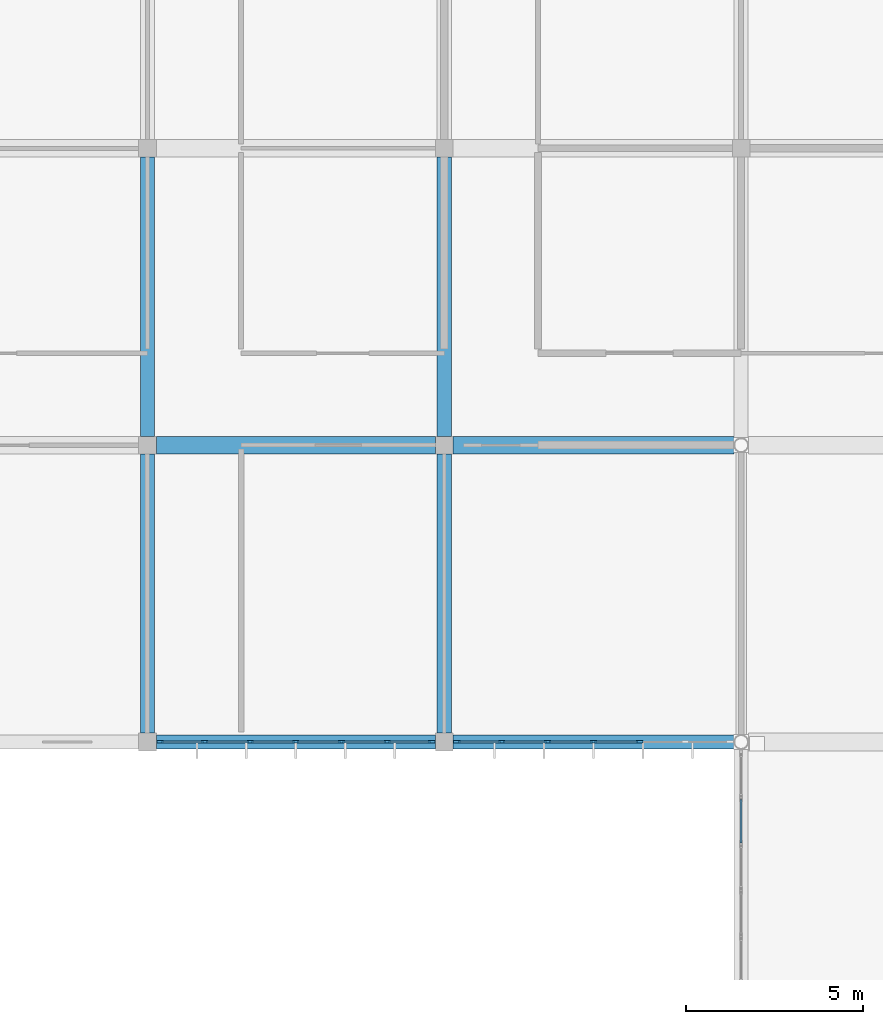
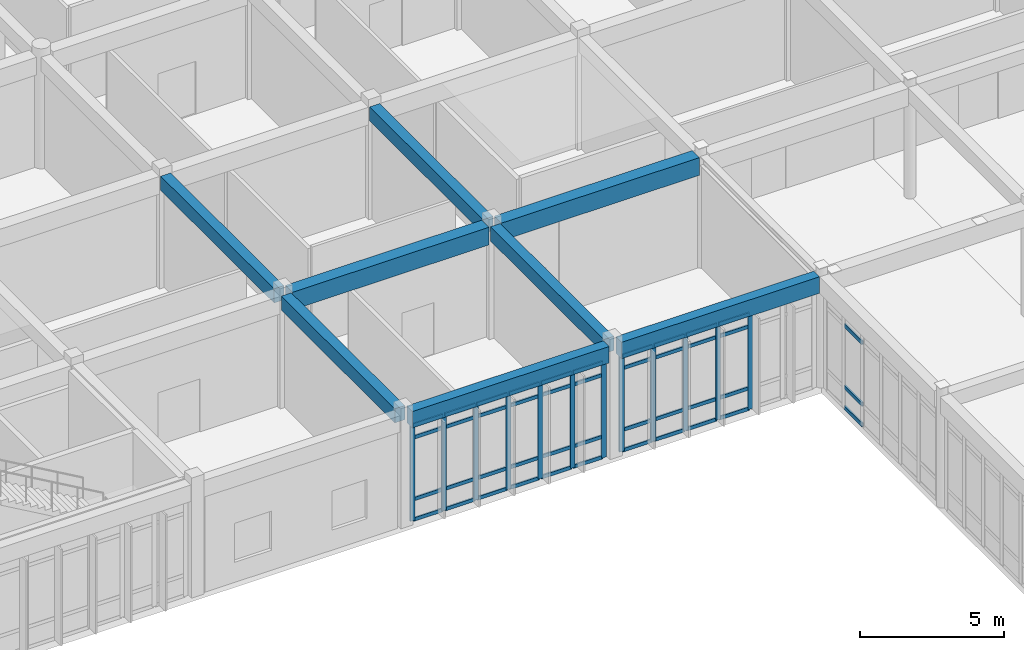
# One storey, part 16 of 134: 55 members, 8 beams, 3 elements without a shape of their own.
"""IFC4 building model written with IfcOpenShell, lengths in metres."""

from ifc_helpers import new_model, si_unit, direction, frame, origin, origin_2d, place, context, subcontext, project, spatial, rectangle, hollow_rectangle, extrude, material, layer, layer_set, material_profile, profile_set, type_object, element, aggregate, save


model = new_model("IFC4")

# Units and contexts
model_context = context("Model", 3, precision=1e-05, world=origin(), true_north=direction((0.0, 1.0)))
body_context = subcontext(model_context, "Body", "Model", "MODEL_VIEW")
ifc_project = project(units=[si_unit("LENGTHUNIT", "METRE"), si_unit("AREAUNIT", "SQUARE_METRE"), si_unit("VOLUMEUNIT", "CUBIC_METRE"), si_unit("PLANEANGLEUNIT", "RADIAN"), si_unit("MASSUNIT", "GRAM", prefix="KILO")], contexts=[model_context])

# Site, building, storey
site_placement = place(None, origin())
site = spatial("IfcSite", under=ifc_project, at=site_placement, CompositionType="ELEMENT")
building_placement = place(site_placement, origin())
building = spatial("IfcBuilding", under=site, at=building_placement, Name="Bramfleet General Hospital", CompositionType="ELEMENT")
storey_placement = place(building_placement, frame((0.0, 0.0, 9.300048828125)))
storey = spatial("IfcBuildingStorey", under=building, at=storey_placement, Name="L02", CompositionType="ELEMENT", Elevation=9.300048828125)

# Beams
ifc_material_1 = material(Name="Concrete C35/45", Category="concrete")
ifc_material_profile_1 = material_profile(ifc_material_1, rectangle(XDim=0.39990234375, YDim=0.60009765625, at=origin_2d()), Name="RC BM 600x400")
ifc_profile_set_1 = profile_set([ifc_material_profile_1], Name="Concrete C35/45")
beam_type_1 = type_object("IfcBeamType", Name="BM-RC600", PredefinedType="BEAM", material=ifc_profile_set_1)
beam_1_placement = place(storey_placement, frame((33.60009765625, 50.64990234375, 4.47998046875), z_axis=(0.0, 1.0, 0.0), x_axis=(-1.0, 0.0, 0.0)))
element("IfcBeam", 1, at=beam_1_placement, inside=storey, type_object=beam_type_1, Name="L02 Grid Beam Y 04-06", PredefinedType="BEAM", context=body_context, shape_type="SweptSolid", body=[
    extrude(rectangle(XDim=0.39990234375, YDim=0.60009765625, at=origin_2d()), origin(), (0.0, 0.0, 1.0), 7.900146484375),
])
beam_2_placement = place(storey_placement, frame((33.60009765625, 59.050048828125, 4.47998046875), z_axis=(0.0, 1.0, 0.0), x_axis=(-1.0, 0.0, 0.0)))
element("IfcBeam", 2, at=beam_2_placement, inside=storey, type_object=beam_type_1, Name="L02 Grid Beam Y 04-07", PredefinedType="BEAM", context=body_context, shape_type="SweptSolid", body=[
    extrude(rectangle(XDim=0.39990234375, YDim=0.60009765625, at=origin_2d()), origin(), (0.0, 0.0, 1.0), 7.89990234375),
])
beam_3_placement = place(storey_placement, frame((42.0, 50.64990234375, 4.47998046875), z_axis=(0.0, 1.0, 0.0), x_axis=(-1.0, 0.0, 0.0)))
element("IfcBeam", 3, at=beam_3_placement, inside=storey, type_object=beam_type_1, Name="L02 Grid Beam Y 05-06", PredefinedType="BEAM", context=body_context, shape_type="SweptSolid", body=[
    extrude(rectangle(XDim=0.39990234375, YDim=0.60009765625, at=origin_2d()), origin(), (0.0, 0.0, 1.0), 7.900146484375),
])
beam_4_placement = place(storey_placement, frame((42.0, 59.050048828125, 4.47998046875), z_axis=(0.0, 1.0, 0.0), x_axis=(-1.0, 0.0, 0.0)))
element("IfcBeam", 4, at=beam_4_placement, inside=storey, type_object=beam_type_1, Name="L02 Grid Beam Y 05-07", PredefinedType="BEAM", context=body_context, shape_type="SweptSolid", body=[
    extrude(rectangle(XDim=0.39990234375, YDim=0.60009765625, at=origin_2d()), origin(), (0.0, 0.0, 1.0), 7.89990234375),
])
ifc_material_profile_2 = material_profile(ifc_material_1, rectangle(XDim=0.5, YDim=0.75, at=origin_2d()), Name="RC BM 750x500")
ifc_profile_set_2 = profile_set([ifc_material_profile_2], Name="Concrete C35/45")
beam_type_2 = type_object("IfcBeamType", Name="BM-RC750", PredefinedType="BEAM", material=ifc_profile_set_2)
beam_5_placement = place(storey_placement, frame((33.85009765625, 58.800048828125, 4.405029296875), z_axis=(1.0, 0.0, 0.0), x_axis=(0.0, 1.0, 0.0)))
element("IfcBeam", 5, at=beam_5_placement, inside=storey, type_object=beam_type_2, Name="L02 Grid Beam X 04-07", PredefinedType="BEAM", context=body_context, shape_type="SweptSolid", body=[
    extrude(rectangle(XDim=0.5, YDim=0.75, at=origin_2d()), origin(), (0.0, 0.0, 1.0), 7.89990234375),
])
beam_6_placement = place(storey_placement, frame((42.25, 58.800048828125, 4.405029296875), z_axis=(1.0, 0.0, 0.0), x_axis=(0.0, 1.0, 0.0)))
element("IfcBeam", 6, at=beam_6_placement, inside=storey, type_object=beam_type_2, Name="L02 Grid Beam X 05-07", PredefinedType="BEAM", context=body_context, shape_type="SweptSolid", body=[
    extrude(rectangle(XDim=0.5, YDim=0.75, at=origin_2d()), origin(), (0.0, 0.0, 1.0), 7.94677734375),
])
ifc_material_profile_3 = material_profile(ifc_material_1, rectangle(XDim=0.39990234375, YDim=0.699951171875, at=origin_2d()), Name="RC SP 700x400")
ifc_profile_set_3 = profile_set([ifc_material_profile_3], Name="Concrete C35/45")
beam_type_3 = type_object("IfcBeamType", Name="BM-SP700", PredefinedType="SPANDREL", material=ifc_profile_set_3)
beam_7_placement = place(storey_placement, frame((33.85009765625, 50.39990234375, 4.429931640625), z_axis=(1.0, 0.0, 0.0), x_axis=(0.0, 1.0, 0.0)))
element("IfcBeam", 7, at=beam_7_placement, inside=storey, type_object=beam_type_3, Name="L02 Grid Beam X 04-06", PredefinedType="SPANDREL", context=body_context, shape_type="SweptSolid", body=[
    extrude(rectangle(XDim=0.39990234375, YDim=0.699951171875, at=origin_2d()), origin(), (0.0, 0.0, 1.0), 7.89990234375),
])
beam_8_placement = place(storey_placement, frame((42.25, 50.39990234375, 4.429931640625), z_axis=(1.0, 0.0, 0.0), x_axis=(0.0, 1.0, 0.0)))
element("IfcBeam", 8, at=beam_8_placement, inside=storey, type_object=beam_type_3, Name="L02 Grid Beam X 05-06", PredefinedType="SPANDREL", context=body_context, shape_type="SweptSolid", body=[
    extrude(rectangle(XDim=0.39990234375, YDim=0.699951171875, at=origin_2d()), origin(), (0.0, 0.0, 1.0), 7.94677734375),
])

# Curtain wall, members
ifc_material_2 = material(Name="Anodised aluminium and low-E triple glazing", Category="aluminium")
ifc_layer_1 = layer(ifc_material_2, 0.179931640625, Name="CWT-CW-12")
ifc_layer_set_1 = layer_set([ifc_layer_1], Name="Anodised aluminium and low-E triple glazing")
curtain_wall_type_1 = type_object("IfcCurtainWallType", Name="CWT-CW-12", PredefinedType="USERDEFINED", material=ifc_layer_set_1)
curtain_wall_1_placement = place(storey_placement, origin())
curtain_wall_1 = element("IfcCurtainWall", 9, at=curtain_wall_1_placement, inside=storey, type_object=curtain_wall_type_1, Name="L02 Curtain Wall 138", ObjectType="Stick curtain wall", PredefinedType="USERDEFINED")
ifc_material_3 = material(Name="Structural timber GL28h", Category="wood")
ifc_material_profile_4 = material_profile(ifc_material_3, rectangle(XDim=0.070068359375, YDim=0.18994140625, at=origin_2d()), Name="LARCH 190x70")
ifc_profile_set_4 = profile_set([ifc_material_profile_4], Name="Structural timber GL28h")
member_type_1 = type_object("IfcMemberType", Name="CWM-LARCH450", PredefinedType="MULLION", material=ifc_profile_set_4)
member_1_placement = place(storey_placement, frame((47.52294921875, 50.39990234375, 0.0), z_axis=(0.0, 0.0, 1.0), x_axis=(0.0, -1.0, 0.0)))
member_1 = element("IfcMember", 10, at=member_1_placement, type_object=member_type_1, Name="CW-12 mullion 3", PredefinedType="MULLION", context=body_context, shape_type="SweptSolid", body=[
    extrude(rectangle(XDim=0.070068359375, YDim=0.18994140625, at=origin_2d()), origin(), (0.0, 0.0, 1.0), 4.070068359375),
])
member_2_placement = place(storey_placement, frame((46.223388671875, 50.39990234375, 0.0), z_axis=(0.0, 0.0, 1.0), x_axis=(0.0, -1.0, 0.0)))
member_2 = element("IfcMember", 11, at=member_2_placement, type_object=member_type_1, Name="CW-12 mullion 4", PredefinedType="MULLION", context=body_context, shape_type="SweptSolid", body=[
    extrude(rectangle(XDim=0.070068359375, YDim=0.18994140625, at=origin_2d()), origin(), (0.0, 0.0, 1.0), 4.070068359375),
])
member_3_placement = place(storey_placement, frame((44.924072265625, 50.39990234375, 0.0), z_axis=(0.0, 0.0, 1.0), x_axis=(0.0, -1.0, 0.0)))
member_3 = element("IfcMember", 12, at=member_3_placement, type_object=member_type_1, Name="CW-12 mullion 5", PredefinedType="MULLION", context=body_context, shape_type="SweptSolid", body=[
    extrude(rectangle(XDim=0.070068359375, YDim=0.18994140625, at=origin_2d()), origin(), (0.0, 0.0, 1.0), 4.070068359375),
])
member_4_placement = place(storey_placement, frame((43.62451171875, 50.39990234375, 0.0), z_axis=(0.0, 0.0, 1.0), x_axis=(0.0, -1.0, 0.0)))
member_4 = element("IfcMember", 13, at=member_4_placement, type_object=member_type_1, Name="CW-12 mullion 6", PredefinedType="MULLION", context=body_context, shape_type="SweptSolid", body=[
    extrude(rectangle(XDim=0.070068359375, YDim=0.18994140625, at=origin_2d()), origin(), (0.0, 0.0, 1.0), 4.070068359375),
])
member_5_placement = place(storey_placement, frame((42.360107421875, 50.39990234375, 0.0), z_axis=(0.0, 0.0, 1.0), x_axis=(0.0, -1.0, 0.0)))
member_5 = element("IfcMember", 14, at=member_5_placement, type_object=member_type_1, Name="CW-12 mullion 7", PredefinedType="MULLION", context=body_context, shape_type="SweptSolid", body=[
    extrude(rectangle(XDim=0.070068359375, YDim=0.18994140625, at=origin_2d()), origin(), (0.0, 0.0, 1.0), 4.070068359375),
])

ifc_layer_2 = layer(ifc_material_2, 0.179931640625, Name="CWT-CW-13")
ifc_layer_set_2 = layer_set([ifc_layer_2], Name="Anodised aluminium and low-E triple glazing")
curtain_wall_type_2 = type_object("IfcCurtainWallType", Name="CWT-CW-13", PredefinedType="USERDEFINED", material=ifc_layer_set_2)
curtain_wall_2_placement = place(storey_placement, origin())
curtain_wall_2 = element("IfcCurtainWall", 15, at=curtain_wall_2_placement, inside=storey, type_object=curtain_wall_type_2, Name="L02 Curtain Wall 139", ObjectType="Stick curtain wall", PredefinedType="USERDEFINED")
member_6_placement = place(storey_placement, frame((41.639892578125, 50.39990234375, 0.0), z_axis=(0.0, 0.0, 1.0), x_axis=(0.0, -1.0, 0.0)))
member_6 = element("IfcMember", 16, at=member_6_placement, type_object=member_type_1, Name="CW-13 mullion 1", PredefinedType="MULLION", context=body_context, shape_type="SweptSolid", body=[
    extrude(rectangle(XDim=0.070068359375, YDim=0.18994140625, at=origin_2d()), origin(), (0.0, 0.0, 1.0), 4.070068359375),
])
member_7_placement = place(storey_placement, frame((40.38330078125, 50.39990234375, 0.0), z_axis=(0.0, 0.0, 1.0), x_axis=(0.0, -1.0, 0.0)))
member_7 = element("IfcMember", 17, at=member_7_placement, type_object=member_type_1, Name="CW-13 mullion 2", PredefinedType="MULLION", context=body_context, shape_type="SweptSolid", body=[
    extrude(rectangle(XDim=0.070068359375, YDim=0.18994140625, at=origin_2d()), origin(), (0.0, 0.0, 1.0), 4.070068359375),
])
member_8_placement = place(storey_placement, frame((39.091552734375, 50.39990234375, 0.0), z_axis=(0.0, 0.0, 1.0), x_axis=(0.0, -1.0, 0.0)))
member_8 = element("IfcMember", 18, at=member_8_placement, type_object=member_type_1, Name="CW-13 mullion 3", PredefinedType="MULLION", context=body_context, shape_type="SweptSolid", body=[
    extrude(rectangle(XDim=0.070068359375, YDim=0.18994140625, at=origin_2d()), origin(), (0.0, 0.0, 1.0), 4.070068359375),
])
member_9_placement = place(storey_placement, frame((37.800048828125, 50.39990234375, 0.0), z_axis=(0.0, 0.0, 1.0), x_axis=(0.0, -1.0, 0.0)))
member_9 = element("IfcMember", 19, at=member_9_placement, type_object=member_type_1, Name="CW-13 mullion 4", PredefinedType="MULLION", context=body_context, shape_type="SweptSolid", body=[
    extrude(rectangle(XDim=0.070068359375, YDim=0.18994140625, at=origin_2d()), origin(), (0.0, 0.0, 1.0), 4.070068359375),
])
member_10_placement = place(storey_placement, frame((36.50830078125, 50.39990234375, 0.0), z_axis=(0.0, 0.0, 1.0), x_axis=(0.0, -1.0, 0.0)))
member_10 = element("IfcMember", 20, at=member_10_placement, type_object=member_type_1, Name="CW-13 mullion 5", PredefinedType="MULLION", context=body_context, shape_type="SweptSolid", body=[
    extrude(rectangle(XDim=0.070068359375, YDim=0.18994140625, at=origin_2d()), origin(), (0.0, 0.0, 1.0), 4.070068359375),
])
member_11_placement = place(storey_placement, frame((35.216552734375, 50.39990234375, 0.0), z_axis=(0.0, 0.0, 1.0), x_axis=(0.0, -1.0, 0.0)))
member_11 = element("IfcMember", 21, at=member_11_placement, type_object=member_type_1, Name="CW-13 mullion 6", PredefinedType="MULLION", context=body_context, shape_type="SweptSolid", body=[
    extrude(rectangle(XDim=0.070068359375, YDim=0.18994140625, at=origin_2d()), origin(), (0.0, 0.0, 1.0), 4.070068359375),
])
member_12_placement = place(storey_placement, frame((33.9599609375, 50.39990234375, 0.0), z_axis=(0.0, 0.0, 1.0), x_axis=(0.0, -1.0, 0.0)))
member_12 = element("IfcMember", 22, at=member_12_placement, type_object=member_type_1, Name="CW-13 mullion 7", PredefinedType="MULLION", context=body_context, shape_type="SweptSolid", body=[
    extrude(rectangle(XDim=0.070068359375, YDim=0.18994140625, at=origin_2d()), origin(), (0.0, 0.0, 1.0), 4.070068359375),
])

ifc_layer_3 = layer(ifc_material_2, 0.179931640625, Name="CWT-CW-11")
ifc_layer_set_3 = layer_set([ifc_layer_3], Name="Anodised aluminium and low-E triple glazing")
curtain_wall_type_3 = type_object("IfcCurtainWallType", Name="CWT-CW-11", PredefinedType="USERDEFINED", material=ifc_layer_set_3)
curtain_wall_3_placement = place(storey_placement, origin())
curtain_wall_3 = element("IfcCurtainWall", 23, at=curtain_wall_3_placement, inside=storey, type_object=curtain_wall_type_3, Name="L02 Curtain Wall 137", ObjectType="Stick curtain wall", PredefinedType="USERDEFINED")
ifc_material_4 = material(Name="Anodised aluminium EN AW-6060", Category="aluminium")
ifc_material_profile_5 = material_profile(ifc_material_4, hollow_rectangle(XDim=0.06494140625, YDim=0.159912109375, WallThickness=0.00390625, at=origin_2d()), Name="ALU 160x65x4.0")
ifc_profile_set_5 = profile_set([ifc_material_profile_5], Name="Anodised aluminium EN AW-6060")
member_type_2 = type_object("IfcMemberType", Name="CWT-ALU160", PredefinedType="USERDEFINED", material=ifc_profile_set_5)
member_13_placement = place(storey_placement, frame((50.39990234375, 47.544921875, 0.032470703125), z_axis=(0.0, 1.0, 0.0), x_axis=(-1.0, 0.0, 0.0)))
member_13 = element("IfcMember", 24, at=member_13_placement, type_object=member_type_2, Name="CW-11 transom 5.1", ObjectType="TRANSOM", PredefinedType="USERDEFINED", context=body_context, shape_type="SweptSolid", body=[
    extrude(hollow_rectangle(XDim=0.06494140625, YDim=0.159912109375, WallThickness=0.00390625, at=origin_2d()), origin(), (0.0, 0.0, 1.0), 1.232177734375),
])
member_14_placement = place(storey_placement, frame((50.39990234375, 47.544921875, 0.89990234375), z_axis=(0.0, 1.0, 0.0), x_axis=(-1.0, 0.0, 0.0)))
member_14 = element("IfcMember", 25, at=member_14_placement, type_object=member_type_2, Name="CW-11 transom 5.2", ObjectType="TRANSOM", PredefinedType="USERDEFINED", context=body_context, shape_type="SweptSolid", body=[
    extrude(hollow_rectangle(XDim=0.06494140625, YDim=0.159912109375, WallThickness=0.00390625, at=origin_2d()), origin(), (0.0, 0.0, 1.0), 1.232177734375),
])
member_15_placement = place(storey_placement, frame((50.39990234375, 47.544921875, 3.52001953125), z_axis=(0.0, 1.0, 0.0), x_axis=(-1.0, 0.0, 0.0)))
member_15 = element("IfcMember", 26, at=member_15_placement, type_object=member_type_2, Name="CW-11 transom 5.3", ObjectType="TRANSOM", PredefinedType="USERDEFINED", context=body_context, shape_type="SweptSolid", body=[
    extrude(hollow_rectangle(XDim=0.06494140625, YDim=0.159912109375, WallThickness=0.00390625, at=origin_2d()), origin(), (0.0, 0.0, 1.0), 1.232177734375),
])
aggregate(curtain_wall_3, [member_13, member_14, member_15])

# Member
ifc_material_profile_6 = material_profile(ifc_material_3, rectangle(XDim=0.06494140625, YDim=0.14990234375, at=origin_2d()), Name="LARCH 150x65")
ifc_profile_set_6 = profile_set([ifc_material_profile_6], Name="Structural timber GL28h")
member_type_3 = type_object("IfcMemberType", Name="CWT-LARCH220", PredefinedType="USERDEFINED", material=ifc_profile_set_6)
member_16_placement = place(storey_placement, frame((47.488037109375, 50.39990234375, 0.032470703125), z_axis=(-1.0, 0.0, 0.0), x_axis=(0.0, -1.0, 0.0)))
member_16 = element("IfcMember", 27, at=member_16_placement, type_object=member_type_3, Name="CW-12 transom 3.1", ObjectType="TRANSOM", PredefinedType="USERDEFINED", context=body_context, shape_type="SweptSolid", body=[
    extrude(rectangle(XDim=0.06494140625, YDim=0.14990234375, at=origin_2d()), origin(), (0.0, 0.0, 1.0), 1.2294921875),
])

member_17_placement = place(storey_placement, frame((47.488037109375, 50.39990234375, 0.89990234375), z_axis=(-1.0, 0.0, 0.0), x_axis=(0.0, -1.0, 0.0)))
member_17 = element("IfcMember", 28, at=member_17_placement, type_object=member_type_3, Name="CW-12 transom 3.2", ObjectType="TRANSOM", PredefinedType="USERDEFINED", context=body_context, shape_type="SweptSolid", body=[
    extrude(rectangle(XDim=0.06494140625, YDim=0.14990234375, at=origin_2d()), origin(), (0.0, 0.0, 1.0), 1.2294921875),
])

member_18_placement = place(storey_placement, frame((47.488037109375, 50.39990234375, 3.52001953125), z_axis=(-1.0, 0.0, 0.0), x_axis=(0.0, -1.0, 0.0)))
member_18 = element("IfcMember", 29, at=member_18_placement, type_object=member_type_3, Name="CW-12 transom 3.3", ObjectType="TRANSOM", PredefinedType="USERDEFINED", context=body_context, shape_type="SweptSolid", body=[
    extrude(rectangle(XDim=0.06494140625, YDim=0.14990234375, at=origin_2d()), origin(), (0.0, 0.0, 1.0), 1.2294921875),
])

member_19_placement = place(storey_placement, frame((47.488037109375, 50.39990234375, 4.037353515625), z_axis=(-1.0, 0.0, 0.0), x_axis=(0.0, -1.0, 0.0)))
member_19 = element("IfcMember", 30, at=member_19_placement, type_object=member_type_3, Name="CW-12 transom 3.4", ObjectType="TRANSOM", PredefinedType="USERDEFINED", context=body_context, shape_type="SweptSolid", body=[
    extrude(rectangle(XDim=0.06494140625, YDim=0.14990234375, at=origin_2d()), origin(), (0.0, 0.0, 1.0), 1.2294921875),
])

member_20_placement = place(storey_placement, frame((46.1884765625, 50.39990234375, 0.032470703125), z_axis=(-1.0, 0.0, 0.0), x_axis=(0.0, -1.0, 0.0)))
member_20 = element("IfcMember", 31, at=member_20_placement, type_object=member_type_3, Name="CW-12 transom 4.1", ObjectType="TRANSOM", PredefinedType="USERDEFINED", context=body_context, shape_type="SweptSolid", body=[
    extrude(rectangle(XDim=0.06494140625, YDim=0.14990234375, at=origin_2d()), origin(), (0.0, 0.0, 1.0), 1.2294921875),
])

member_21_placement = place(storey_placement, frame((46.1884765625, 50.39990234375, 0.89990234375), z_axis=(-1.0, 0.0, 0.0), x_axis=(0.0, -1.0, 0.0)))
member_21 = element("IfcMember", 32, at=member_21_placement, type_object=member_type_3, Name="CW-12 transom 4.2", ObjectType="TRANSOM", PredefinedType="USERDEFINED", context=body_context, shape_type="SweptSolid", body=[
    extrude(rectangle(XDim=0.06494140625, YDim=0.14990234375, at=origin_2d()), origin(), (0.0, 0.0, 1.0), 1.2294921875),
])

member_22_placement = place(storey_placement, frame((46.1884765625, 50.39990234375, 3.52001953125), z_axis=(-1.0, 0.0, 0.0), x_axis=(0.0, -1.0, 0.0)))
member_22 = element("IfcMember", 33, at=member_22_placement, type_object=member_type_3, Name="CW-12 transom 4.3", ObjectType="TRANSOM", PredefinedType="USERDEFINED", context=body_context, shape_type="SweptSolid", body=[
    extrude(rectangle(XDim=0.06494140625, YDim=0.14990234375, at=origin_2d()), origin(), (0.0, 0.0, 1.0), 1.2294921875),
])

member_23_placement = place(storey_placement, frame((46.1884765625, 50.39990234375, 4.037353515625), z_axis=(-1.0, 0.0, 0.0), x_axis=(0.0, -1.0, 0.0)))
member_23 = element("IfcMember", 34, at=member_23_placement, type_object=member_type_3, Name="CW-12 transom 4.4", ObjectType="TRANSOM", PredefinedType="USERDEFINED", context=body_context, shape_type="SweptSolid", body=[
    extrude(rectangle(XDim=0.06494140625, YDim=0.14990234375, at=origin_2d()), origin(), (0.0, 0.0, 1.0), 1.2294921875),
])

member_24_placement = place(storey_placement, frame((44.888916015625, 50.39990234375, 0.032470703125), z_axis=(-1.0, 0.0, 0.0), x_axis=(0.0, -1.0, 0.0)))
member_24 = element("IfcMember", 35, at=member_24_placement, type_object=member_type_3, Name="CW-12 transom 5.1", ObjectType="TRANSOM", PredefinedType="USERDEFINED", context=body_context, shape_type="SweptSolid", body=[
    extrude(rectangle(XDim=0.06494140625, YDim=0.14990234375, at=origin_2d()), origin(), (0.0, 0.0, 1.0), 1.2294921875),
])

member_25_placement = place(storey_placement, frame((44.888916015625, 50.39990234375, 0.89990234375), z_axis=(-1.0, 0.0, 0.0), x_axis=(0.0, -1.0, 0.0)))
member_25 = element("IfcMember", 36, at=member_25_placement, type_object=member_type_3, Name="CW-12 transom 5.2", ObjectType="TRANSOM", PredefinedType="USERDEFINED", context=body_context, shape_type="SweptSolid", body=[
    extrude(rectangle(XDim=0.06494140625, YDim=0.14990234375, at=origin_2d()), origin(), (0.0, 0.0, 1.0), 1.2294921875),
])

member_26_placement = place(storey_placement, frame((44.888916015625, 50.39990234375, 3.52001953125), z_axis=(-1.0, 0.0, 0.0), x_axis=(0.0, -1.0, 0.0)))
member_26 = element("IfcMember", 37, at=member_26_placement, type_object=member_type_3, Name="CW-12 transom 5.3", ObjectType="TRANSOM", PredefinedType="USERDEFINED", context=body_context, shape_type="SweptSolid", body=[
    extrude(rectangle(XDim=0.06494140625, YDim=0.14990234375, at=origin_2d()), origin(), (0.0, 0.0, 1.0), 1.2294921875),
])

member_27_placement = place(storey_placement, frame((44.888916015625, 50.39990234375, 4.037353515625), z_axis=(-1.0, 0.0, 0.0), x_axis=(0.0, -1.0, 0.0)))
member_27 = element("IfcMember", 38, at=member_27_placement, type_object=member_type_3, Name="CW-12 transom 5.4", ObjectType="TRANSOM", PredefinedType="USERDEFINED", context=body_context, shape_type="SweptSolid", body=[
    extrude(rectangle(XDim=0.06494140625, YDim=0.14990234375, at=origin_2d()), origin(), (0.0, 0.0, 1.0), 1.2294921875),
])

member_28_placement = place(storey_placement, frame((43.589599609375, 50.39990234375, 0.032470703125), z_axis=(-1.0, 0.0, 0.0), x_axis=(0.0, -1.0, 0.0)))
member_28 = element("IfcMember", 39, at=member_28_placement, type_object=member_type_3, Name="CW-12 transom 6.1", ObjectType="TRANSOM", PredefinedType="USERDEFINED", context=body_context, shape_type="SweptSolid", body=[
    extrude(rectangle(XDim=0.06494140625, YDim=0.14990234375, at=origin_2d()), origin(), (0.0, 0.0, 1.0), 1.194580078125),
])

member_29_placement = place(storey_placement, frame((43.589599609375, 50.39990234375, 0.89990234375), z_axis=(-1.0, 0.0, 0.0), x_axis=(0.0, -1.0, 0.0)))
member_29 = element("IfcMember", 40, at=member_29_placement, type_object=member_type_3, Name="CW-12 transom 6.2", ObjectType="TRANSOM", PredefinedType="USERDEFINED", context=body_context, shape_type="SweptSolid", body=[
    extrude(rectangle(XDim=0.06494140625, YDim=0.14990234375, at=origin_2d()), origin(), (0.0, 0.0, 1.0), 1.194580078125),
])

member_30_placement = place(storey_placement, frame((43.589599609375, 50.39990234375, 3.52001953125), z_axis=(-1.0, 0.0, 0.0), x_axis=(0.0, -1.0, 0.0)))
member_30 = element("IfcMember", 41, at=member_30_placement, type_object=member_type_3, Name="CW-12 transom 6.3", ObjectType="TRANSOM", PredefinedType="USERDEFINED", context=body_context, shape_type="SweptSolid", body=[
    extrude(rectangle(XDim=0.06494140625, YDim=0.14990234375, at=origin_2d()), origin(), (0.0, 0.0, 1.0), 1.194580078125),
])

member_31_placement = place(storey_placement, frame((43.589599609375, 50.39990234375, 4.037353515625), z_axis=(-1.0, 0.0, 0.0), x_axis=(0.0, -1.0, 0.0)))
member_31 = element("IfcMember", 42, at=member_31_placement, type_object=member_type_3, Name="CW-12 transom 6.4", ObjectType="TRANSOM", PredefinedType="USERDEFINED", context=body_context, shape_type="SweptSolid", body=[
    extrude(rectangle(XDim=0.06494140625, YDim=0.14990234375, at=origin_2d()), origin(), (0.0, 0.0, 1.0), 1.194580078125),
])

aggregate(curtain_wall_1, [member_1, member_2, member_3, member_4, member_5, member_16, member_17, member_18, member_19, member_20, member_21, member_22, member_23, member_24, member_25, member_26, member_27, member_28, member_29, member_30, member_31])

member_32_placement = place(storey_placement, frame((41.60498046875, 50.39990234375, 0.032470703125), z_axis=(-1.0, 0.0, 0.0), x_axis=(0.0, -1.0, 0.0)))
member_32 = element("IfcMember", 43, at=member_32_placement, type_object=member_type_3, Name="CW-13 transom 1.1", ObjectType="TRANSOM", PredefinedType="USERDEFINED", context=body_context, shape_type="SweptSolid", body=[
    extrude(rectangle(XDim=0.06494140625, YDim=0.14990234375, at=origin_2d()), origin(), (0.0, 0.0, 1.0), 1.186767578125),
])

member_33_placement = place(storey_placement, frame((41.60498046875, 50.39990234375, 0.89990234375), z_axis=(-1.0, 0.0, 0.0), x_axis=(0.0, -1.0, 0.0)))
member_33 = element("IfcMember", 44, at=member_33_placement, type_object=member_type_3, Name="CW-13 transom 1.2", ObjectType="TRANSOM", PredefinedType="USERDEFINED", context=body_context, shape_type="SweptSolid", body=[
    extrude(rectangle(XDim=0.06494140625, YDim=0.14990234375, at=origin_2d()), origin(), (0.0, 0.0, 1.0), 1.186767578125),
])

member_34_placement = place(storey_placement, frame((41.60498046875, 50.39990234375, 3.52001953125), z_axis=(-1.0, 0.0, 0.0), x_axis=(0.0, -1.0, 0.0)))
member_34 = element("IfcMember", 45, at=member_34_placement, type_object=member_type_3, Name="CW-13 transom 1.3", ObjectType="TRANSOM", PredefinedType="USERDEFINED", context=body_context, shape_type="SweptSolid", body=[
    extrude(rectangle(XDim=0.06494140625, YDim=0.14990234375, at=origin_2d()), origin(), (0.0, 0.0, 1.0), 1.186767578125),
])

member_35_placement = place(storey_placement, frame((41.60498046875, 50.39990234375, 4.037353515625), z_axis=(-1.0, 0.0, 0.0), x_axis=(0.0, -1.0, 0.0)))
member_35 = element("IfcMember", 46, at=member_35_placement, type_object=member_type_3, Name="CW-13 transom 1.4", ObjectType="TRANSOM", PredefinedType="USERDEFINED", context=body_context, shape_type="SweptSolid", body=[
    extrude(rectangle(XDim=0.06494140625, YDim=0.14990234375, at=origin_2d()), origin(), (0.0, 0.0, 1.0), 1.186767578125),
])

member_36_placement = place(storey_placement, frame((40.348388671875, 50.39990234375, 0.032470703125), z_axis=(-1.0, 0.0, 0.0), x_axis=(0.0, -1.0, 0.0)))
member_36 = element("IfcMember", 47, at=member_36_placement, type_object=member_type_3, Name="CW-13 transom 2.1", ObjectType="TRANSOM", PredefinedType="USERDEFINED", context=body_context, shape_type="SweptSolid", body=[
    extrude(rectangle(XDim=0.06494140625, YDim=0.14990234375, at=origin_2d()), origin(), (0.0, 0.0, 1.0), 1.2216796875),
])

member_37_placement = place(storey_placement, frame((40.348388671875, 50.39990234375, 0.89990234375), z_axis=(-1.0, 0.0, 0.0), x_axis=(0.0, -1.0, 0.0)))
member_37 = element("IfcMember", 48, at=member_37_placement, type_object=member_type_3, Name="CW-13 transom 2.2", ObjectType="TRANSOM", PredefinedType="USERDEFINED", context=body_context, shape_type="SweptSolid", body=[
    extrude(rectangle(XDim=0.06494140625, YDim=0.14990234375, at=origin_2d()), origin(), (0.0, 0.0, 1.0), 1.2216796875),
])

member_38_placement = place(storey_placement, frame((40.348388671875, 50.39990234375, 3.52001953125), z_axis=(-1.0, 0.0, 0.0), x_axis=(0.0, -1.0, 0.0)))
member_38 = element("IfcMember", 49, at=member_38_placement, type_object=member_type_3, Name="CW-13 transom 2.3", ObjectType="TRANSOM", PredefinedType="USERDEFINED", context=body_context, shape_type="SweptSolid", body=[
    extrude(rectangle(XDim=0.06494140625, YDim=0.14990234375, at=origin_2d()), origin(), (0.0, 0.0, 1.0), 1.2216796875),
])

member_39_placement = place(storey_placement, frame((40.348388671875, 50.39990234375, 4.037353515625), z_axis=(-1.0, 0.0, 0.0), x_axis=(0.0, -1.0, 0.0)))
member_39 = element("IfcMember", 50, at=member_39_placement, type_object=member_type_3, Name="CW-13 transom 2.4", ObjectType="TRANSOM", PredefinedType="USERDEFINED", context=body_context, shape_type="SweptSolid", body=[
    extrude(rectangle(XDim=0.06494140625, YDim=0.14990234375, at=origin_2d()), origin(), (0.0, 0.0, 1.0), 1.2216796875),
])

member_40_placement = place(storey_placement, frame((39.056640625, 50.39990234375, 0.032470703125), z_axis=(-1.0, 0.0, 0.0), x_axis=(0.0, -1.0, 0.0)))
member_40 = element("IfcMember", 51, at=member_40_placement, type_object=member_type_3, Name="CW-13 transom 3.1", ObjectType="TRANSOM", PredefinedType="USERDEFINED", context=body_context, shape_type="SweptSolid", body=[
    extrude(rectangle(XDim=0.06494140625, YDim=0.14990234375, at=origin_2d()), origin(), (0.0, 0.0, 1.0), 1.2216796875),
])

member_41_placement = place(storey_placement, frame((39.056640625, 50.39990234375, 0.89990234375), z_axis=(-1.0, 0.0, 0.0), x_axis=(0.0, -1.0, 0.0)))
member_41 = element("IfcMember", 52, at=member_41_placement, type_object=member_type_3, Name="CW-13 transom 3.2", ObjectType="TRANSOM", PredefinedType="USERDEFINED", context=body_context, shape_type="SweptSolid", body=[
    extrude(rectangle(XDim=0.06494140625, YDim=0.14990234375, at=origin_2d()), origin(), (0.0, 0.0, 1.0), 1.2216796875),
])

member_42_placement = place(storey_placement, frame((39.056640625, 50.39990234375, 3.52001953125), z_axis=(-1.0, 0.0, 0.0), x_axis=(0.0, -1.0, 0.0)))
member_42 = element("IfcMember", 53, at=member_42_placement, type_object=member_type_3, Name="CW-13 transom 3.3", ObjectType="TRANSOM", PredefinedType="USERDEFINED", context=body_context, shape_type="SweptSolid", body=[
    extrude(rectangle(XDim=0.06494140625, YDim=0.14990234375, at=origin_2d()), origin(), (0.0, 0.0, 1.0), 1.2216796875),
])

member_43_placement = place(storey_placement, frame((39.056640625, 50.39990234375, 4.037353515625), z_axis=(-1.0, 0.0, 0.0), x_axis=(0.0, -1.0, 0.0)))
member_43 = element("IfcMember", 54, at=member_43_placement, type_object=member_type_3, Name="CW-13 transom 3.4", ObjectType="TRANSOM", PredefinedType="USERDEFINED", context=body_context, shape_type="SweptSolid", body=[
    extrude(rectangle(XDim=0.06494140625, YDim=0.14990234375, at=origin_2d()), origin(), (0.0, 0.0, 1.0), 1.2216796875),
])

member_44_placement = place(storey_placement, frame((37.764892578125, 50.39990234375, 0.032470703125), z_axis=(-1.0, 0.0, 0.0), x_axis=(0.0, -1.0, 0.0)))
member_44 = element("IfcMember", 55, at=member_44_placement, type_object=member_type_3, Name="CW-13 transom 4.1", ObjectType="TRANSOM", PredefinedType="USERDEFINED", context=body_context, shape_type="SweptSolid", body=[
    extrude(rectangle(XDim=0.06494140625, YDim=0.14990234375, at=origin_2d()), origin(), (0.0, 0.0, 1.0), 1.2216796875),
])

member_45_placement = place(storey_placement, frame((37.764892578125, 50.39990234375, 0.89990234375), z_axis=(-1.0, 0.0, 0.0), x_axis=(0.0, -1.0, 0.0)))
member_45 = element("IfcMember", 56, at=member_45_placement, type_object=member_type_3, Name="CW-13 transom 4.2", ObjectType="TRANSOM", PredefinedType="USERDEFINED", context=body_context, shape_type="SweptSolid", body=[
    extrude(rectangle(XDim=0.06494140625, YDim=0.14990234375, at=origin_2d()), origin(), (0.0, 0.0, 1.0), 1.2216796875),
])

member_46_placement = place(storey_placement, frame((37.764892578125, 50.39990234375, 3.52001953125), z_axis=(-1.0, 0.0, 0.0), x_axis=(0.0, -1.0, 0.0)))
member_46 = element("IfcMember", 57, at=member_46_placement, type_object=member_type_3, Name="CW-13 transom 4.3", ObjectType="TRANSOM", PredefinedType="USERDEFINED", context=body_context, shape_type="SweptSolid", body=[
    extrude(rectangle(XDim=0.06494140625, YDim=0.14990234375, at=origin_2d()), origin(), (0.0, 0.0, 1.0), 1.2216796875),
])

member_47_placement = place(storey_placement, frame((37.764892578125, 50.39990234375, 4.037353515625), z_axis=(-1.0, 0.0, 0.0), x_axis=(0.0, -1.0, 0.0)))
member_47 = element("IfcMember", 58, at=member_47_placement, type_object=member_type_3, Name="CW-13 transom 4.4", ObjectType="TRANSOM", PredefinedType="USERDEFINED", context=body_context, shape_type="SweptSolid", body=[
    extrude(rectangle(XDim=0.06494140625, YDim=0.14990234375, at=origin_2d()), origin(), (0.0, 0.0, 1.0), 1.2216796875),
])

member_48_placement = place(storey_placement, frame((36.473388671875, 50.39990234375, 0.032470703125), z_axis=(-1.0, 0.0, 0.0), x_axis=(0.0, -1.0, 0.0)))
member_48 = element("IfcMember", 59, at=member_48_placement, type_object=member_type_3, Name="CW-13 transom 5.1", ObjectType="TRANSOM", PredefinedType="USERDEFINED", context=body_context, shape_type="SweptSolid", body=[
    extrude(rectangle(XDim=0.06494140625, YDim=0.14990234375, at=origin_2d()), origin(), (0.0, 0.0, 1.0), 1.2216796875),
])

member_49_placement = place(storey_placement, frame((36.473388671875, 50.39990234375, 0.89990234375), z_axis=(-1.0, 0.0, 0.0), x_axis=(0.0, -1.0, 0.0)))
member_49 = element("IfcMember", 60, at=member_49_placement, type_object=member_type_3, Name="CW-13 transom 5.2", ObjectType="TRANSOM", PredefinedType="USERDEFINED", context=body_context, shape_type="SweptSolid", body=[
    extrude(rectangle(XDim=0.06494140625, YDim=0.14990234375, at=origin_2d()), origin(), (0.0, 0.0, 1.0), 1.2216796875),
])

member_50_placement = place(storey_placement, frame((36.473388671875, 50.39990234375, 3.52001953125), z_axis=(-1.0, 0.0, 0.0), x_axis=(0.0, -1.0, 0.0)))
member_50 = element("IfcMember", 61, at=member_50_placement, type_object=member_type_3, Name="CW-13 transom 5.3", ObjectType="TRANSOM", PredefinedType="USERDEFINED", context=body_context, shape_type="SweptSolid", body=[
    extrude(rectangle(XDim=0.06494140625, YDim=0.14990234375, at=origin_2d()), origin(), (0.0, 0.0, 1.0), 1.2216796875),
])

member_51_placement = place(storey_placement, frame((36.473388671875, 50.39990234375, 4.037353515625), z_axis=(-1.0, 0.0, 0.0), x_axis=(0.0, -1.0, 0.0)))
member_51 = element("IfcMember", 62, at=member_51_placement, type_object=member_type_3, Name="CW-13 transom 5.4", ObjectType="TRANSOM", PredefinedType="USERDEFINED", context=body_context, shape_type="SweptSolid", body=[
    extrude(rectangle(XDim=0.06494140625, YDim=0.14990234375, at=origin_2d()), origin(), (0.0, 0.0, 1.0), 1.2216796875),
])

member_52_placement = place(storey_placement, frame((35.181640625, 50.39990234375, 0.032470703125), z_axis=(-1.0, 0.0, 0.0), x_axis=(0.0, -1.0, 0.0)))
member_52 = element("IfcMember", 63, at=member_52_placement, type_object=member_type_3, Name="CW-13 transom 6.1", ObjectType="TRANSOM", PredefinedType="USERDEFINED", context=body_context, shape_type="SweptSolid", body=[
    extrude(rectangle(XDim=0.06494140625, YDim=0.14990234375, at=origin_2d()), origin(), (0.0, 0.0, 1.0), 1.1865234375),
])

member_53_placement = place(storey_placement, frame((35.181640625, 50.39990234375, 0.89990234375), z_axis=(-1.0, 0.0, 0.0), x_axis=(0.0, -1.0, 0.0)))
member_53 = element("IfcMember", 64, at=member_53_placement, type_object=member_type_3, Name="CW-13 transom 6.2", ObjectType="TRANSOM", PredefinedType="USERDEFINED", context=body_context, shape_type="SweptSolid", body=[
    extrude(rectangle(XDim=0.06494140625, YDim=0.14990234375, at=origin_2d()), origin(), (0.0, 0.0, 1.0), 1.1865234375),
])

member_54_placement = place(storey_placement, frame((35.181640625, 50.39990234375, 3.52001953125), z_axis=(-1.0, 0.0, 0.0), x_axis=(0.0, -1.0, 0.0)))
member_54 = element("IfcMember", 65, at=member_54_placement, type_object=member_type_3, Name="CW-13 transom 6.3", ObjectType="TRANSOM", PredefinedType="USERDEFINED", context=body_context, shape_type="SweptSolid", body=[
    extrude(rectangle(XDim=0.06494140625, YDim=0.14990234375, at=origin_2d()), origin(), (0.0, 0.0, 1.0), 1.1865234375),
])

member_55_placement = place(storey_placement, frame((35.181640625, 50.39990234375, 4.037353515625), z_axis=(-1.0, 0.0, 0.0), x_axis=(0.0, -1.0, 0.0)))
member_55 = element("IfcMember", 66, at=member_55_placement, type_object=member_type_3, Name="CW-13 transom 6.4", ObjectType="TRANSOM", PredefinedType="USERDEFINED", context=body_context, shape_type="SweptSolid", body=[
    extrude(rectangle(XDim=0.06494140625, YDim=0.14990234375, at=origin_2d()), origin(), (0.0, 0.0, 1.0), 1.1865234375),
])

aggregate(curtain_wall_2, [member_6, member_7, member_8, member_9, member_10, member_11, member_12, member_32, member_33, member_34, member_35, member_36, member_37, member_38, member_39, member_40, member_41, member_42, member_43, member_44, member_45, member_46, member_47, member_48, member_49, member_50, member_51, member_52, member_53, member_54, member_55])

save(model, "model.ifc")
